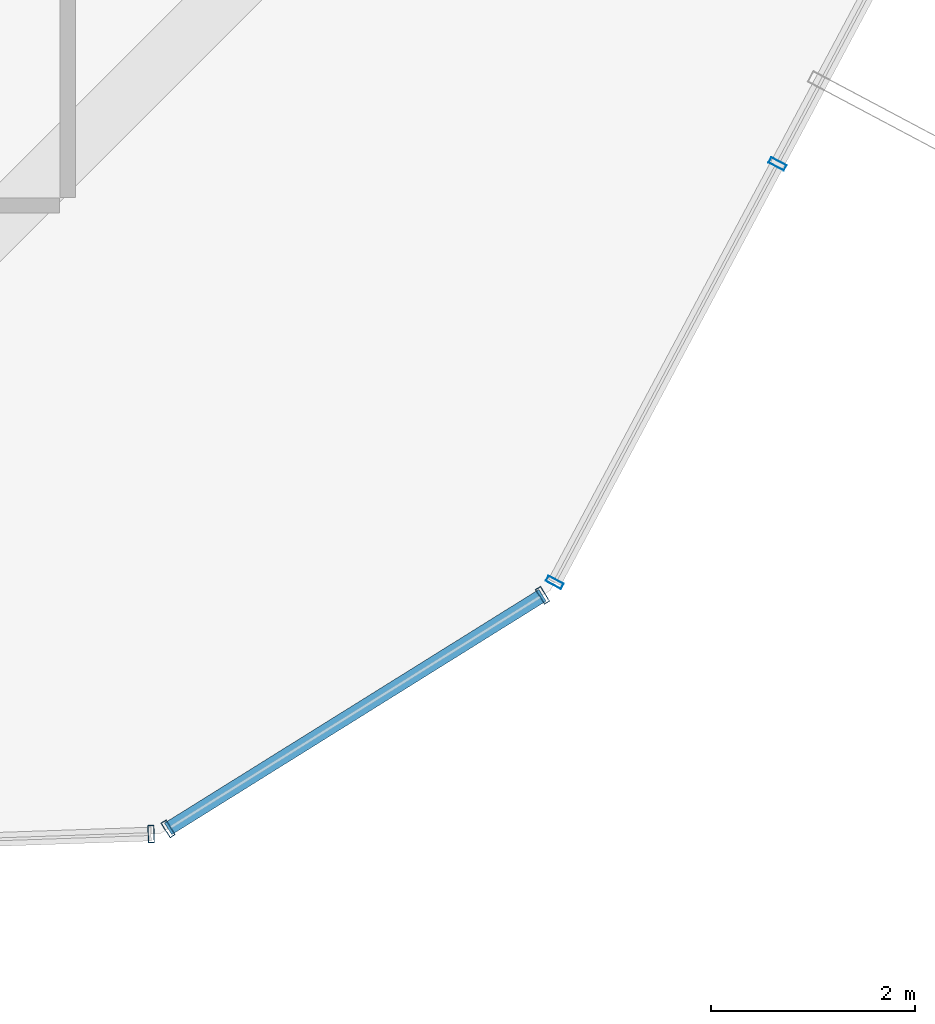
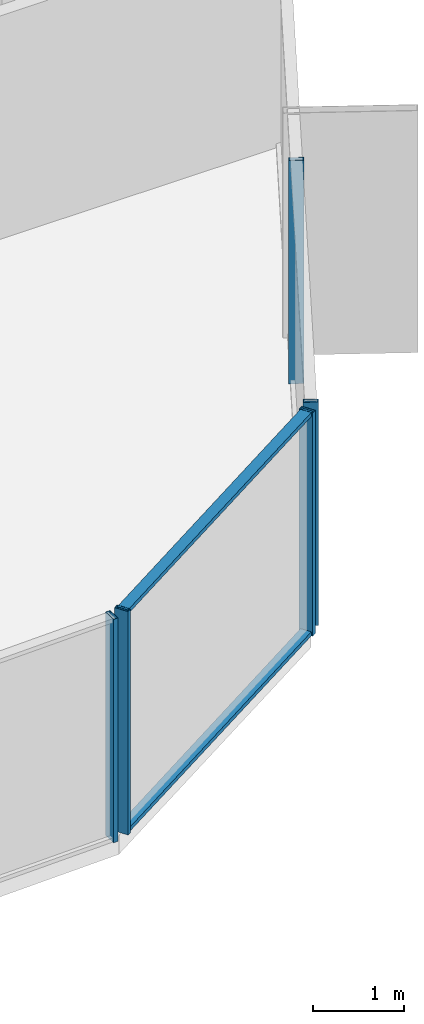
# One storey, part 14 of 39: 7 members, 3 elements without a shape of their own.
"""IFC4 building model written with IfcOpenShell, lengths in metres."""

import ifcopenshell
import ifcopenshell.guid

model = None  # the IFC model being written
_history = None  # IfcOwnerHistory: only IFC2X3 demands one
_inside = {}  # id of a spatial element -> (the spatial element, [elements in it])
_under = {}  # id of a project, library or spatial element -> (it, [spatial elements below it])
_declared = {}  # id of a project -> (the project, [libraries it declares])
_typed = {}  # id of a type object -> (the type object, [elements of that type])
_made_of = {}  # id of a material, layer set ... -> (it, [elements and type objects made of it])


def new_model(schema):
    """Start an empty IFC model of exactly this schema.

    Asked for "IFC4X3", IfcOpenShell would pick the latest addendum, in which some entities
    have other attributes; the version numbers below select the first issue.
    IFC2X3 requires an IfcOwnerHistory on every rooted entity: one is made here for all.
    """
    global model, _history
    if schema == "IFC4X3":
        model = ifcopenshell.file(schema_version=(4, 3, 0, 0))
    else:
        model = ifcopenshell.file(schema=schema)
    _inside.clear()
    _under.clear()
    _declared.clear()
    _typed.clear()
    _made_of.clear()
    _history = None
    if model.schema == "IFC2X3":
        org = make("IfcOrganization", Name="unknown")
        user = make(
            "IfcPersonAndOrganization",
            ThePerson=make("IfcPerson", FamilyName="unknown"),
            TheOrganization=org,
        )
        app = make(
            "IfcApplication",
            ApplicationDeveloper=org,
            Version="unknown",
            ApplicationFullName="unknown",
            ApplicationIdentifier="unknown",
        )
        _history = make(
            "IfcOwnerHistory",
            OwningUser=user,
            OwningApplication=app,
            ChangeAction="ADDED",
            CreationDate=0,
        )
    return model


def make(cls, **values):
    """One entity of the class cls with the attributes given. An attribute that is None is left unset."""
    return model.create_entity(
        cls, **{name: value for name, value in values.items() if value is not None}
    )


def rooted(cls, **values):
    """An entity with a GlobalId (a new one), such as an element, a storey or a relation."""
    return make(cls, GlobalId=ifcopenshell.guid.new(), OwnerHistory=_history, **values)


def si_unit(unit_type, name, prefix=None):
    """IfcSIUnit, for example si_unit("LENGTHUNIT", "METRE", prefix="MILLI")."""
    return make("IfcSIUnit", UnitType=unit_type, Prefix=prefix, Name=name)


def assignment(units):
    """IfcUnitAssignment: the units of a project."""
    return None if units is None else make("IfcUnitAssignment", Units=units)


def point(xyz):
    """IfcCartesianPoint."""
    return None if xyz is None else make("IfcCartesianPoint", Coordinates=xyz)


def direction(xyz):
    """IfcDirection."""
    return None if xyz is None else make("IfcDirection", DirectionRatios=xyz)


def frame(location, z_axis=None, x_axis=None):
    """IfcAxis2Placement3D, a coordinate frame: its origin and axes. An axis left out is left unset."""
    return make(
        "IfcAxis2Placement3D",
        Location=point(location),
        Axis=direction(z_axis),
        RefDirection=direction(x_axis),
    )


def frame_2d(location, x_axis=None):
    """IfcAxis2Placement2D, a coordinate frame in the plane: its origin and x axis."""
    return make(
        "IfcAxis2Placement2D", Location=point(location), RefDirection=direction(x_axis)
    )


def origin():
    """The frame at (0, 0, 0) with its axes left unset."""
    return frame((0.0, 0.0, 0.0))


def origin_2d():
    """The frame at (0, 0) in the plane with its x axis left unset."""
    return frame_2d((0.0, 0.0))


def place(relative_to, where):
    """IfcLocalPlacement: puts the frame where relative to a parent placement (None: the world)."""
    return make(
        "IfcLocalPlacement", PlacementRelTo=relative_to, RelativePlacement=where
    )


def context(
    kind, dimensions, precision=None, world=None, true_north=None, identifier=None
):
    """IfcGeometricRepresentationContext, for example the 3D "Model" context."""
    return make(
        "IfcGeometricRepresentationContext",
        ContextIdentifier=identifier,
        ContextType=kind,
        CoordinateSpaceDimension=dimensions,
        Precision=precision,
        WorldCoordinateSystem=world,
        TrueNorth=true_north,
    )


def subcontext(parent, identifier, kind, view, scale=None):
    """IfcGeometricRepresentationSubContext, for example "Body" below "Model"."""
    return make(
        "IfcGeometricRepresentationSubContext",
        ContextIdentifier=identifier,
        ContextType=kind,
        ParentContext=parent,
        TargetScale=scale,
        TargetView=view,
    )


def project(units=None, contexts=None):
    """IfcProject with its units and contexts."""
    return rooted(
        "IfcProject",
        Name="project",
        RepresentationContexts=contexts,
        UnitsInContext=assignment(units),
    )


def spatial(cls, under=None, at=None, **own):
    """A site, building, storey or space (cls), placed at a placement, below another one or the project."""
    s = rooted(cls, ObjectPlacement=at, **own)
    if under is not None:
        _under.setdefault(under.id(), (under, []))[1].append(s)
    return s


def profile(cls, at=None, kind="AREA", **sizes):
    """A parametric profile (cls). Its sizes go by their IFC names, for example OverallWidth=200.0."""
    return make(cls, ProfileType=kind, Position=at, **sizes)


def hollow_rectangle(**sizes):
    """IfcRectangleHollowProfileDef."""
    return profile("IfcRectangleHollowProfileDef", **sizes)


def extrude(swept, where, along, depth):
    """IfcExtrudedAreaSolid: the profile swept, set in the frame where, extruded along a direction by depth."""
    return make(
        "IfcExtrudedAreaSolid",
        SweptArea=swept,
        Position=where,
        ExtrudedDirection=direction(along),
        Depth=depth,
    )


def shape(context_of_items, identifier, shape_type, items):
    """IfcShapeRepresentation: the items that make up one representation, for example the "Body"."""
    return make(
        "IfcShapeRepresentation",
        ContextOfItems=context_of_items,
        RepresentationIdentifier=identifier,
        RepresentationType=shape_type,
        Items=items,
    )


def source(mapping_origin, context_of_items, identifier, shape_type, items):
    """IfcRepresentationMap: a shape defined once, which mapped items show again and again."""
    return make(
        "IfcRepresentationMap",
        MappingOrigin=mapping_origin,
        MappedRepresentation=shape(context_of_items, identifier, shape_type, items),
    )


def transform(
    local_origin,
    x_axis=None,
    y_axis=None,
    z_axis=None,
    scale=None,
    scale2=None,
    scale3=None,
    uniform=True,
):
    """IfcCartesianTransformationOperator3D, or its non-uniform kind. x_axis, y_axis, z_axis: its Axis1, 2, 3."""
    if uniform:
        return make(
            "IfcCartesianTransformationOperator3D",
            Axis1=direction(x_axis),
            Axis2=direction(y_axis),
            LocalOrigin=point(local_origin),
            Scale=scale,
            Axis3=direction(z_axis),
        )
    return make(
        "IfcCartesianTransformationOperator3DnonUniform",
        Axis1=direction(x_axis),
        Axis2=direction(y_axis),
        LocalOrigin=point(local_origin),
        Scale=scale,
        Axis3=direction(z_axis),
        Scale2=scale2,
        Scale3=scale3,
    )


def mapped(mapping_source, mapping_target):
    """IfcMappedItem: shows the shape of a source again, moved by a transform."""
    return make(
        "IfcMappedItem", MappingSource=mapping_source, MappingTarget=mapping_target
    )


def material(Name=None, Category=None):
    """IfcMaterial."""
    return make("IfcMaterial", Name=Name, Category=Category)


def layer(
    of_material, thickness, ventilated=None, Name=None, Category=None, Priority=None
):
    """IfcMaterialLayer: one layer of a wall or slab, of a material (None: an air gap)."""
    return make(
        "IfcMaterialLayer",
        Material=of_material,
        LayerThickness=thickness,
        IsVentilated=ventilated,
        Name=Name,
        Category=Category,
        Priority=Priority,
    )


def layer_set(layers, Name=None):
    """IfcMaterialLayerSet."""
    return make("IfcMaterialLayerSet", MaterialLayers=layers, LayerSetName=Name)


def material_profile(
    of_material, cross_section, Name=None, Category=None, Priority=None
):
    """IfcMaterialProfile: a cross section and its material."""
    return make(
        "IfcMaterialProfile",
        Name=Name,
        Material=of_material,
        Profile=cross_section,
        Priority=Priority,
        Category=Category,
    )


def profile_set(profiles, Name=None, composite=None):
    """IfcMaterialProfileSet."""
    return make(
        "IfcMaterialProfileSet",
        Name=Name,
        MaterialProfiles=profiles,
        CompositeProfile=composite,
    )


def made_of(thing, what):
    """Note that an element or type object is made of a material, layer set ...; save() writes the relation."""
    if what is not None:
        _made_of.setdefault(what.id(), (what, []))[1].append(thing)
    return thing


def type_object(cls, material=None, **own):
    """A type object (cls), such as IfcWallType, which elements share."""
    return made_of(rooted(cls, **own), material)


def element(
    cls,
    number,
    at=None,
    inside=None,
    cuts=None,
    type_object=None,
    material=None,
    context=None,
    identifier="Body",
    shape_type=None,
    held_by="IfcProductDefinitionShape",
    body=None,
    shapes=None,
    **own,
):
    """One element of the class cls, such as IfcWall. Its Tag is "e" and its number.

    at: its placement. inside: the storey or other place that contains it. cuts: it is an
    opening in that element (IfcRelVoidsElement). A single representation is given by context,
    identifier, shape_type and body (its items); several are given by shapes. held_by: the class
    of the entity that holds the representations. save() writes the other relations.
    """
    e = rooted(cls, Tag="e%d" % number, ObjectPlacement=at, **own)
    if body is not None:
        shapes = [shape(context, identifier, shape_type, body)]
    if shapes is not None:
        e.Representation = make(held_by, Representations=shapes)
    if inside is not None:
        _inside.setdefault(inside.id(), (inside, []))[1].append(e)
    if cuts is not None:
        rooted(
            "IfcRelVoidsElement", RelatingBuildingElement=cuts, RelatedOpeningElement=e
        )
    if type_object is not None:
        _typed.setdefault(type_object.id(), (type_object, []))[1].append(e)
    return made_of(e, material)


def aggregate(whole, parts):
    """IfcRelAggregates: a whole, such as a stair, and the parts it consists of."""
    return rooted("IfcRelAggregates", RelatingObject=whole, RelatedObjects=parts)


def save(model, path):
    """Write the relations noted so far, then the file.

    IfcRelAggregates (storeys below a building ...), IfcRelContainedInSpatialStructure (elements
    in a storey), IfcRelDefinesByType, IfcRelAssociatesMaterial and IfcRelDeclares: one each for
    every whole, place, type object, material and project.
    """
    for whole, parts in _under.values():
        aggregate(whole, parts)
    for where, things in _inside.values():
        rooted(
            "IfcRelContainedInSpatialStructure",
            RelatedElements=things,
            RelatingStructure=where,
        )
    for kind, things in _typed.values():
        rooted("IfcRelDefinesByType", RelatedObjects=things, RelatingType=kind)
    for what, things in _made_of.values():
        rooted("IfcRelAssociatesMaterial", RelatedObjects=things, RelatingMaterial=what)
    for by, libraries in _declared.values():
        rooted("IfcRelDeclares", RelatingContext=by, RelatedDefinitions=libraries)
    model.write(path)


model = new_model("IFC4")

# Units and contexts
model_context = context("Model", 3, precision=1e-05, world=origin(), true_north=direction((0.0, 1.0)))
body_context = subcontext(model_context, "Body", "Model", "MODEL_VIEW")
ifc_project = project(units=[si_unit("LENGTHUNIT", "METRE"), si_unit("AREAUNIT", "SQUARE_METRE"), si_unit("VOLUMEUNIT", "CUBIC_METRE"), si_unit("PLANEANGLEUNIT", "RADIAN"), si_unit("MASSUNIT", "GRAM", prefix="KILO")], contexts=[model_context])

# Site, building, storey
site_placement = place(None, origin())
site = spatial("IfcSite", under=ifc_project, at=site_placement, CompositionType="ELEMENT")
building_placement = place(site_placement, origin())
building = spatial("IfcBuilding", under=site, at=building_placement, Name="Veraguas Prism Commons", CompositionType="ELEMENT")
storey_placement = place(building_placement, frame((0.0, 0.0, 30.550048828125)))
storey = spatial("IfcBuildingStorey", under=building, at=storey_placement, Name="L07", CompositionType="ELEMENT", Elevation=30.550048828125)

# Curtain wall, member
ifc_material = material(Name="Anodised aluminium EN AW-6063 T6", Category="aluminium")
ifc_layer = layer(ifc_material, 0.169921875, Name="Unitised Flush Curtain Wall Zone 1", Category="aluminium")
ifc_layer_set = layer_set([ifc_layer], Name="Anodised aluminium EN AW-6063 T6")
curtain_wall_type = type_object("IfcCurtainWallType", Name="Unitised Flush Curtain Wall Zone 1", PredefinedType="NOTDEFINED", material=ifc_layer_set)
curtain_wall_1_placement = place(storey_placement, origin())
curtain_wall_1 = element("IfcCurtainWall", 1, at=curtain_wall_1_placement, inside=storey, type_object=curtain_wall_type, Name="Tower Facade Curtain Wall L07-F5", PredefinedType="NOTDEFINED")
ifc_material_profile_1 = material_profile(ifc_material, hollow_rectangle(XDim=0.06005859375, YDim=0.169921875, WallThickness=0.00390625, at=origin_2d()), Name="AL60X170X4")
ifc_profile_set_1 = profile_set([ifc_material_profile_1], Name="Anodised aluminium EN AW-6063 T6")
member_type_1 = type_object("IfcMemberType", Name="Curtain Wall Mullion Lower AL 60x170x4", PredefinedType="MULLION", material=ifc_profile_set_1)
shared_shape_1 = source(origin(), body_context, "Body", "SweptSolid", [
    extrude(hollow_rectangle(XDim=0.06005859375, YDim=0.169921875, WallThickness=0.00390625, at=origin_2d()), origin(), (0.0, 0.0, 1.0), 3.0),
])
member_1_placement = place(storey_placement, frame((34.017333984375, 3.5458984375, 0.0), z_axis=(0.0, 0.0, 1.0), x_axis=(0.999415186666, 0.034194804603, 0.0)))
member_1 = element("IfcMember", 2, at=member_1_placement, type_object=member_type_1, Name="CW-Z1 Mullion 5", PredefinedType="MULLION", context=body_context, shape_type="MappedRepresentation", body=[
    mapped(shared_shape_1, transform((0.0, 0.0, 0.0), scale=1.0)),
])
aggregate(curtain_wall_1, [member_1])

# Curtain wall, members
curtain_wall_2_placement = place(storey_placement, origin())
curtain_wall_2 = element("IfcCurtainWall", 3, at=curtain_wall_2_placement, inside=storey, type_object=curtain_wall_type, Name="Tower Facade Curtain Wall L07-F6", PredefinedType="NOTDEFINED")
member_2_placement = place(storey_placement, frame((37.967529296875, 6.010498046875, 0.0), z_axis=(0.0, 0.0, 1.0), x_axis=(0.470089402494, 0.882618804277, 0.0)))
member_2 = element("IfcMember", 4, at=member_2_placement, type_object=member_type_1, Name="CW-Z1 Mullion 1", PredefinedType="MULLION", context=body_context, shape_type="MappedRepresentation", body=[
    mapped(shared_shape_1, transform((0.0, 0.0, 0.0), scale=1.0)),
])
member_3_placement = place(storey_placement, frame((40.149169921875, 10.106689453125, 0.0), z_axis=(0.0, 0.0, 1.0), x_axis=(0.470089402494, 0.882618804277, 0.0)))
member_3 = element("IfcMember", 5, at=member_3_placement, type_object=member_type_1, Name="CW-Z1 Mullion 2", PredefinedType="MULLION", context=body_context, shape_type="MappedRepresentation", body=[
    mapped(shared_shape_1, transform((0.0, 0.0, 0.0), scale=1.0)),
])
aggregate(curtain_wall_2, [member_2, member_3])

curtain_wall_3_placement = place(storey_placement, origin())
curtain_wall_3 = element("IfcCurtainWall", 6, at=curtain_wall_3_placement, inside=storey, type_object=curtain_wall_type, Name="Chamfer Curtain Wall L07-C6", PredefinedType="NOTDEFINED")
member_4_placement = place(storey_placement, frame((34.18359375, 3.5966796875, 0.0), z_axis=(0.0, 0.0, 1.0), x_axis=(0.848425233617, 0.529315239684, 0.0)))
member_4 = element("IfcMember", 7, at=member_4_placement, type_object=member_type_1, Name="CW-Z1 Mullion 1", PredefinedType="MULLION", context=body_context, shape_type="MappedRepresentation", body=[
    mapped(shared_shape_1, transform((0.0, 0.0, 0.0), scale=1.0)),
])
member_5_placement = place(storey_placement, frame((37.848876953125, 5.88330078125, 0.0), z_axis=(0.0, 0.0, 1.0), x_axis=(0.848425233617, 0.529315239684, 0.0)))
member_5 = element("IfcMember", 8, at=member_5_placement, type_object=member_type_1, Name="CW-Z1 Mullion 2", PredefinedType="MULLION", context=body_context, shape_type="MappedRepresentation", body=[
    mapped(shared_shape_1, transform((0.0, 0.0, 0.0), scale=1.0)),
])
ifc_material_profile_2 = material_profile(ifc_material, hollow_rectangle(XDim=0.054931640625, YDim=0.135009765625, WallThickness=0.0029296875, at=origin_2d()), Name="AL55X135X3")
ifc_profile_set_2 = profile_set([ifc_material_profile_2], Name="Anodised aluminium EN AW-6063 T6")
member_type_2 = type_object("IfcMemberType", Name="Curtain Wall Transom Standard AL 55x135x3", PredefinedType="USERDEFINED", material=ifc_profile_set_2)
shared_shape_2 = source(origin(), body_context, "Body", "SweptSolid", [
    extrude(hollow_rectangle(XDim=0.054931640625, YDim=0.135009765625, WallThickness=0.0029296875, at=origin_2d()), origin(), (0.0, 0.0, 1.0), 4.320068359375),
])
member_6_placement = place(storey_placement, frame((34.18359375, 3.5966796875, 0.02734375), z_axis=(0.848432979737, 0.529302823434, 0.0), x_axis=(0.0, 0.0, 1.0)))
member_6 = element("IfcMember", 9, at=member_6_placement, type_object=member_type_2, Name="CW-Z1 Transom 1", ObjectType="TRANSOM", PredefinedType="USERDEFINED", context=body_context, shape_type="MappedRepresentation", body=[
    mapped(shared_shape_2, transform((0.0, 0.0, 0.0), scale=1.0)),
])
member_7_placement = place(storey_placement, frame((34.18359375, 3.5966796875, 2.972412109375), z_axis=(0.848432979737, 0.529302823434, 0.0), x_axis=(0.0, 0.0, 1.0)))
member_7 = element("IfcMember", 10, at=member_7_placement, type_object=member_type_2, Name="CW-Z1 Transom 2", ObjectType="TRANSOM", PredefinedType="USERDEFINED", context=body_context, shape_type="MappedRepresentation", body=[
    mapped(shared_shape_2, transform((0.0, 0.0, 0.0), scale=1.0)),
])
aggregate(curtain_wall_3, [member_4, member_5, member_6, member_7])

save(model, "model.ifc")
